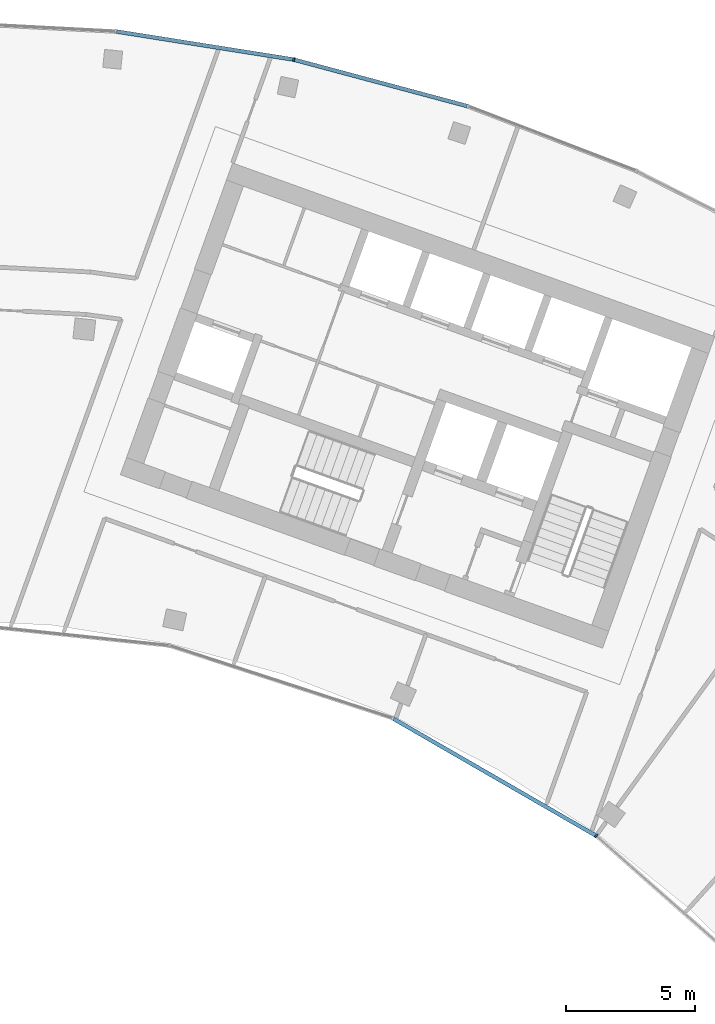
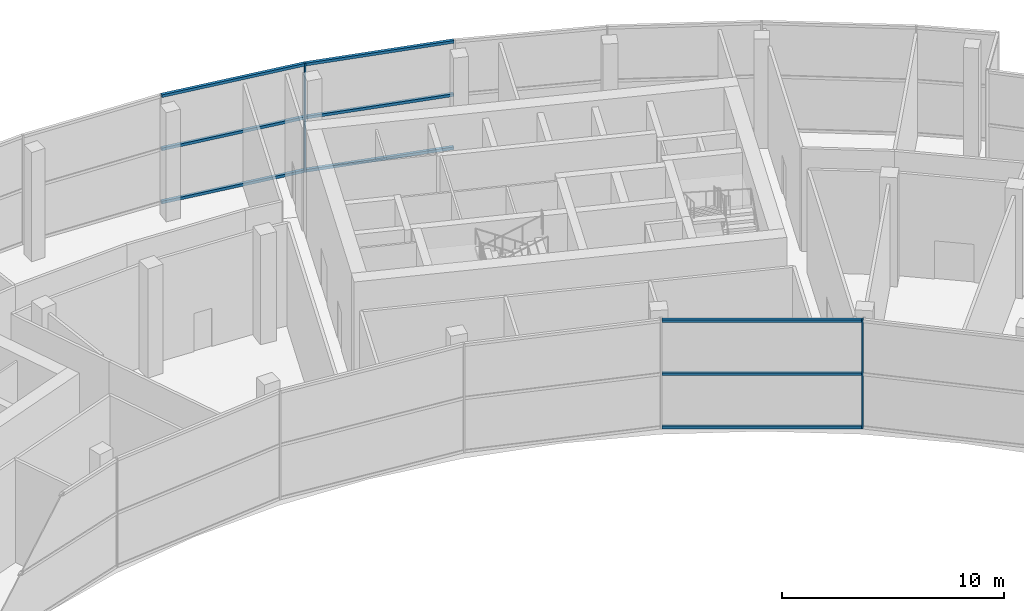
# One storey, part 6 of 18: 11 members, 2 elements without a shape of their own.
"""IFC4 building model written with IfcOpenShell, lengths in metres."""

from ifc_helpers import new_model, si_unit, direction, frame, origin, origin_2d, place, context, subcontext, project, spatial, rectangle, extrude, material, layer, layer_set, material_profile, profile_set, type_object, element, aggregate, save


model = new_model("IFC4")

# Units and contexts
model_context = context("Model", 3, precision=1e-05, world=origin(), true_north=direction((0.0, 1.0)))
body_context = subcontext(model_context, "Body", "Model", "MODEL_VIEW")
ifc_project = project(units=[si_unit("LENGTHUNIT", "METRE"), si_unit("AREAUNIT", "SQUARE_METRE"), si_unit("VOLUMEUNIT", "CUBIC_METRE"), si_unit("PLANEANGLEUNIT", "RADIAN"), si_unit("MASSUNIT", "GRAM", prefix="KILO")], contexts=[model_context])

# Site, building, storey
site_placement = place(None, origin())
site = spatial("IfcSite", under=ifc_project, at=site_placement, CompositionType="ELEMENT")
building_placement = place(site_placement, origin())
building = spatial("IfcBuilding", under=site, at=building_placement, Name="Stone Belt Terrace Tower", CompositionType="ELEMENT")
storey_placement = place(building_placement, frame((0.0, 0.0, 307.39990234375)))
storey = spatial("IfcBuildingStorey", under=building, at=storey_placement, Name="L75", CompositionType="ELEMENT", Elevation=307.39990234375)

# Curtain wall, member
ifc_material = material(Name="Aluminium 6063-T6 anodised frame", Category="aluminium")
ifc_layer = layer(ifc_material, 0.14990234375)
ifc_layer_set = layer_set([ifc_layer], Name="CW-F observation floor curtain wall")
curtain_wall_type = type_object("IfcCurtainWallType", Name="CW-F observation floor curtain wall", PredefinedType="NOTDEFINED", material=ifc_layer_set)
curtain_wall_1_placement = place(storey_placement, origin())
curtain_wall_1 = element("IfcCurtainWall", 1, at=curtain_wall_1_placement, inside=storey, type_object=curtain_wall_type, Name="CW-F concave face L75", PredefinedType="NOTDEFINED")
ifc_material_profile_1 = material_profile(ifc_material, rectangle(XDim=0.14990234375, YDim=0.070068359375, at=origin_2d()), Name="Aluminium 6063-T6 70x150")
ifc_profile_set_1 = profile_set([ifc_material_profile_1], Name="Aluminium 6063-T6 anodised frame")
member_type_1 = type_object("IfcMemberType", Name="CW-F mullion 70 x 150", PredefinedType="MULLION", material=ifc_profile_set_1)
member_1_placement = place(storey_placement, frame((25.524658203125, 35.131103515625, 0.0), z_axis=(0.0, 0.0, 1.0), x_axis=(0.583818854632, 0.811883947973, 0.0)))
member_1 = element("IfcMember", 2, at=member_1_placement, type_object=member_type_1, Name="CW-F mullion 8", PredefinedType="MULLION", context=body_context, shape_type="SweptSolid", body=[
    extrude(rectangle(XDim=0.14990234375, YDim=0.070068359375, at=origin_2d()), origin(), (0.0, 0.0, 1.0), 6.0),
])

curtain_wall_2_placement = place(storey_placement, origin())
curtain_wall_2 = element("IfcCurtainWall", 3, at=curtain_wall_2_placement, inside=storey, type_object=curtain_wall_type, Name="CW-F convex face L75", PredefinedType="NOTDEFINED")
member_2_placement = place(storey_placement, frame((13.841796875, 65.120361328125, 0.0), z_axis=(0.0, 0.0, 1.0), x_axis=(-0.207911690818, -0.978147600734, 0.0)))
member_2 = element("IfcMember", 4, at=member_2_placement, type_object=member_type_1, Name="CW-F mullion 6", PredefinedType="MULLION", context=body_context, shape_type="SweptSolid", body=[
    extrude(rectangle(XDim=0.14990234375, YDim=0.070068359375, at=origin_2d()), origin(), (0.0, 0.0, 1.0), 6.0),
])

# Member
ifc_material_profile_2 = material_profile(ifc_material, rectangle(XDim=0.14990234375, YDim=0.14990234375, at=origin_2d()), Name="Aluminium 6063-T6 150x150")
ifc_profile_set_2 = profile_set([ifc_material_profile_2], Name="Aluminium 6063-T6 anodised frame")
member_type_2 = type_object("IfcMemberType", Name="CW-F transom 150 x 150", PredefinedType="USERDEFINED", material=ifc_profile_set_2)
member_3_placement = place(storey_placement, frame((17.69921875, 39.64892578125, 0.0751953125), z_axis=(0.866027820928, -0.499995813361, 0.0), x_axis=(0.499995813361, 0.866027820928, 0.0)))
member_3 = element("IfcMember", 5, at=member_3_placement, type_object=member_type_2, Name="CW-F transom 7.1", ObjectType="TRANSOM", PredefinedType="USERDEFINED", context=body_context, shape_type="SweptSolid", body=[
    extrude(rectangle(XDim=0.14990234375, YDim=0.14990234375, at=origin_2d()), origin(), (0.0, 0.0, 1.0), 8.99365234375),
])

member_4_placement = place(storey_placement, frame((17.69921875, 39.64892578125, 3.0), z_axis=(0.866027820928, -0.499995813361, 0.0), x_axis=(0.499995813361, 0.866027820928, 0.0)))
member_4 = element("IfcMember", 6, at=member_4_placement, type_object=member_type_2, Name="CW-F transom 7.2", ObjectType="TRANSOM", PredefinedType="USERDEFINED", context=body_context, shape_type="SweptSolid", body=[
    extrude(rectangle(XDim=0.14990234375, YDim=0.14990234375, at=origin_2d()), origin(), (0.0, 0.0, 1.0), 8.99365234375),
])

member_5_placement = place(storey_placement, frame((17.69921875, 39.64892578125, 5.925048828125), z_axis=(0.866027820928, -0.499995813361, 0.0), x_axis=(0.499995813361, 0.866027820928, 0.0)))
member_5 = element("IfcMember", 7, at=member_5_placement, type_object=member_type_2, Name="CW-F transom 7.3", ObjectType="TRANSOM", PredefinedType="USERDEFINED", context=body_context, shape_type="SweptSolid", body=[
    extrude(rectangle(XDim=0.14990234375, YDim=0.14990234375, at=origin_2d()), origin(), (0.0, 0.0, 1.0), 8.99365234375),
])

aggregate(curtain_wall_1, [member_1, member_3, member_4, member_5])

member_6_placement = place(storey_placement, frame((20.535400390625, 63.32666015625, 0.0751953125), z_axis=(-0.965926701698, 0.258815778011, 0.0), x_axis=(-0.258815778011, -0.965926701698, 0.0)))
member_6 = element("IfcMember", 8, at=member_6_placement, type_object=member_type_2, Name="CW-F transom 5.1", ObjectType="TRANSOM", PredefinedType="USERDEFINED", context=body_context, shape_type="SweptSolid", body=[
    extrude(rectangle(XDim=0.14990234375, YDim=0.14990234375, at=origin_2d()), origin(), (0.0, 0.0, 1.0), 6.890869140625),
])

member_7_placement = place(storey_placement, frame((20.535400390625, 63.32666015625, 3.0), z_axis=(-0.965926701698, 0.258815778011, 0.0), x_axis=(-0.258815778011, -0.965926701698, 0.0)))
member_7 = element("IfcMember", 9, at=member_7_placement, type_object=member_type_2, Name="CW-F transom 5.2", ObjectType="TRANSOM", PredefinedType="USERDEFINED", context=body_context, shape_type="SweptSolid", body=[
    extrude(rectangle(XDim=0.14990234375, YDim=0.14990234375, at=origin_2d()), origin(), (0.0, 0.0, 1.0), 6.890869140625),
])

member_8_placement = place(storey_placement, frame((20.535400390625, 63.32666015625, 5.925048828125), z_axis=(-0.965926701698, 0.258815778011, 0.0), x_axis=(-0.258815778011, -0.965926701698, 0.0)))
member_8 = element("IfcMember", 10, at=member_8_placement, type_object=member_type_2, Name="CW-F transom 5.3", ObjectType="TRANSOM", PredefinedType="USERDEFINED", context=body_context, shape_type="SweptSolid", body=[
    extrude(rectangle(XDim=0.14990234375, YDim=0.14990234375, at=origin_2d()), origin(), (0.0, 0.0, 1.0), 6.890869140625),
])

member_9_placement = place(storey_placement, frame((13.80322265625, 65.12646484375, 0.0751953125), z_axis=(-0.987689890003, 0.156424682152, 0.0), x_axis=(-0.156424682152, -0.987689890003, 0.0)))
member_9 = element("IfcMember", 11, at=member_9_placement, type_object=member_type_2, Name="CW-F transom 6.1", ObjectType="TRANSOM", PredefinedType="USERDEFINED", context=body_context, shape_type="SweptSolid", body=[
    extrude(rectangle(XDim=0.14990234375, YDim=0.14990234375, at=origin_2d()), origin(), (0.0, 0.0, 1.0), 6.890625),
])

member_10_placement = place(storey_placement, frame((13.80322265625, 65.12646484375, 3.0), z_axis=(-0.987689890003, 0.156424682152, 0.0), x_axis=(-0.156424682152, -0.987689890003, 0.0)))
member_10 = element("IfcMember", 12, at=member_10_placement, type_object=member_type_2, Name="CW-F transom 6.2", ObjectType="TRANSOM", PredefinedType="USERDEFINED", context=body_context, shape_type="SweptSolid", body=[
    extrude(rectangle(XDim=0.14990234375, YDim=0.14990234375, at=origin_2d()), origin(), (0.0, 0.0, 1.0), 6.890625),
])

member_11_placement = place(storey_placement, frame((13.80322265625, 65.12646484375, 5.925048828125), z_axis=(-0.987689890003, 0.156424682152, 0.0), x_axis=(-0.156424682152, -0.987689890003, 0.0)))
member_11 = element("IfcMember", 13, at=member_11_placement, type_object=member_type_2, Name="CW-F transom 6.3", ObjectType="TRANSOM", PredefinedType="USERDEFINED", context=body_context, shape_type="SweptSolid", body=[
    extrude(rectangle(XDim=0.14990234375, YDim=0.14990234375, at=origin_2d()), origin(), (0.0, 0.0, 1.0), 6.890625),
])

aggregate(curtain_wall_2, [member_2, member_6, member_7, member_8, member_9, member_10, member_11])

save(model, "model.ifc")
